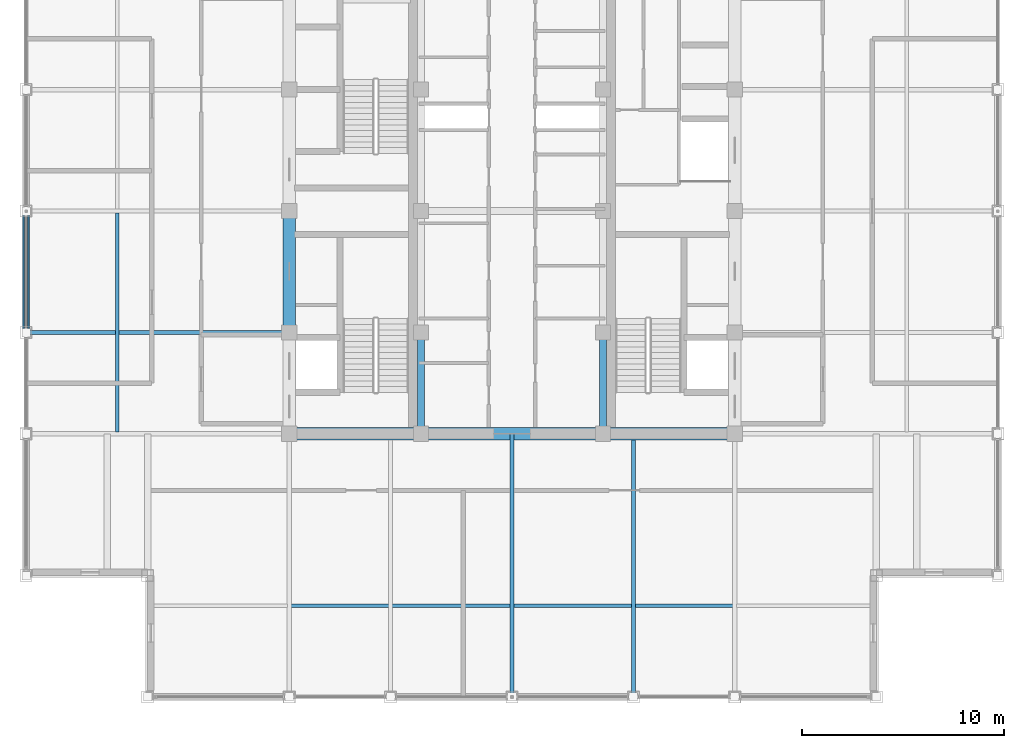
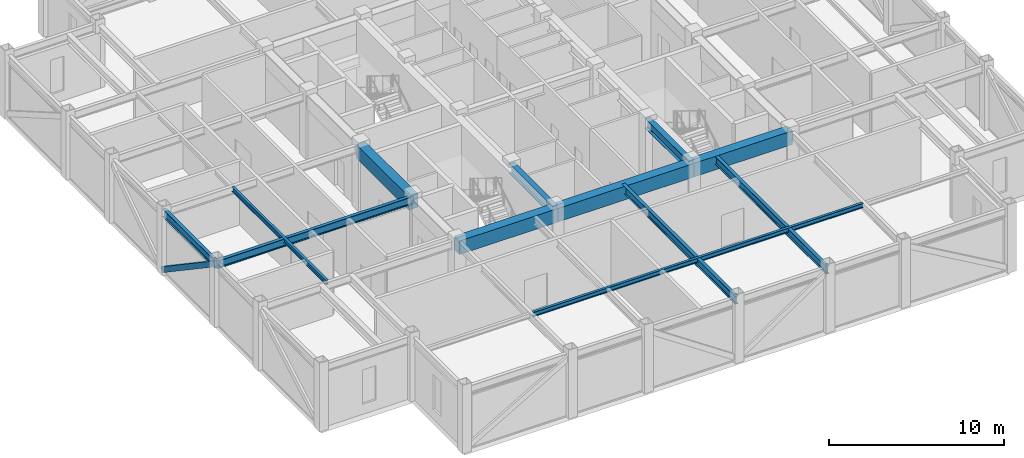
# One storey, part 5 of 27: 12 beams, 1 member.
"""IFC4 building model written with IfcOpenShell, lengths in metres."""

import ifcopenshell
import ifcopenshell.guid

model = None  # the IFC model being written
_history = None  # IfcOwnerHistory: only IFC2X3 demands one
_inside = {}  # id of a spatial element -> (the spatial element, [elements in it])
_under = {}  # id of a project, library or spatial element -> (it, [spatial elements below it])
_declared = {}  # id of a project -> (the project, [libraries it declares])
_typed = {}  # id of a type object -> (the type object, [elements of that type])
_made_of = {}  # id of a material, layer set ... -> (it, [elements and type objects made of it])


def new_model(schema):
    """Start an empty IFC model of exactly this schema.

    Asked for "IFC4X3", IfcOpenShell would pick the latest addendum, in which some entities
    have other attributes; the version numbers below select the first issue.
    IFC2X3 requires an IfcOwnerHistory on every rooted entity: one is made here for all.
    """
    global model, _history
    if schema == "IFC4X3":
        model = ifcopenshell.file(schema_version=(4, 3, 0, 0))
    else:
        model = ifcopenshell.file(schema=schema)
    _inside.clear()
    _under.clear()
    _declared.clear()
    _typed.clear()
    _made_of.clear()
    _history = None
    if model.schema == "IFC2X3":
        org = make("IfcOrganization", Name="unknown")
        user = make(
            "IfcPersonAndOrganization",
            ThePerson=make("IfcPerson", FamilyName="unknown"),
            TheOrganization=org,
        )
        app = make(
            "IfcApplication",
            ApplicationDeveloper=org,
            Version="unknown",
            ApplicationFullName="unknown",
            ApplicationIdentifier="unknown",
        )
        _history = make(
            "IfcOwnerHistory",
            OwningUser=user,
            OwningApplication=app,
            ChangeAction="ADDED",
            CreationDate=0,
        )
    return model


def make(cls, **values):
    """One entity of the class cls with the attributes given. An attribute that is None is left unset."""
    return model.create_entity(
        cls, **{name: value for name, value in values.items() if value is not None}
    )


def rooted(cls, **values):
    """An entity with a GlobalId (a new one), such as an element, a storey or a relation."""
    return make(cls, GlobalId=ifcopenshell.guid.new(), OwnerHistory=_history, **values)


def si_unit(unit_type, name, prefix=None):
    """IfcSIUnit, for example si_unit("LENGTHUNIT", "METRE", prefix="MILLI")."""
    return make("IfcSIUnit", UnitType=unit_type, Prefix=prefix, Name=name)


def assignment(units):
    """IfcUnitAssignment: the units of a project."""
    return None if units is None else make("IfcUnitAssignment", Units=units)


def point(xyz):
    """IfcCartesianPoint."""
    return None if xyz is None else make("IfcCartesianPoint", Coordinates=xyz)


def direction(xyz):
    """IfcDirection."""
    return None if xyz is None else make("IfcDirection", DirectionRatios=xyz)


def frame(location, z_axis=None, x_axis=None):
    """IfcAxis2Placement3D, a coordinate frame: its origin and axes. An axis left out is left unset."""
    return make(
        "IfcAxis2Placement3D",
        Location=point(location),
        Axis=direction(z_axis),
        RefDirection=direction(x_axis),
    )


def frame_2d(location, x_axis=None):
    """IfcAxis2Placement2D, a coordinate frame in the plane: its origin and x axis."""
    return make(
        "IfcAxis2Placement2D", Location=point(location), RefDirection=direction(x_axis)
    )


def origin():
    """The frame at (0, 0, 0) with its axes left unset."""
    return frame((0.0, 0.0, 0.0))


def origin_2d():
    """The frame at (0, 0) in the plane with its x axis left unset."""
    return frame_2d((0.0, 0.0))


def place(relative_to, where):
    """IfcLocalPlacement: puts the frame where relative to a parent placement (None: the world)."""
    return make(
        "IfcLocalPlacement", PlacementRelTo=relative_to, RelativePlacement=where
    )


def context(
    kind, dimensions, precision=None, world=None, true_north=None, identifier=None
):
    """IfcGeometricRepresentationContext, for example the 3D "Model" context."""
    return make(
        "IfcGeometricRepresentationContext",
        ContextIdentifier=identifier,
        ContextType=kind,
        CoordinateSpaceDimension=dimensions,
        Precision=precision,
        WorldCoordinateSystem=world,
        TrueNorth=true_north,
    )


def subcontext(parent, identifier, kind, view, scale=None):
    """IfcGeometricRepresentationSubContext, for example "Body" below "Model"."""
    return make(
        "IfcGeometricRepresentationSubContext",
        ContextIdentifier=identifier,
        ContextType=kind,
        ParentContext=parent,
        TargetScale=scale,
        TargetView=view,
    )


def project(units=None, contexts=None):
    """IfcProject with its units and contexts."""
    return rooted(
        "IfcProject",
        Name="project",
        RepresentationContexts=contexts,
        UnitsInContext=assignment(units),
    )


def spatial(cls, under=None, at=None, **own):
    """A site, building, storey or space (cls), placed at a placement, below another one or the project."""
    s = rooted(cls, ObjectPlacement=at, **own)
    if under is not None:
        _under.setdefault(under.id(), (under, []))[1].append(s)
    return s


def profile(cls, at=None, kind="AREA", **sizes):
    """A parametric profile (cls). Its sizes go by their IFC names, for example OverallWidth=200.0."""
    return make(cls, ProfileType=kind, Position=at, **sizes)


def rectangle(**sizes):
    """IfcRectangleProfileDef."""
    return profile("IfcRectangleProfileDef", **sizes)


def hollow_rectangle(**sizes):
    """IfcRectangleHollowProfileDef."""
    return profile("IfcRectangleHollowProfileDef", **sizes)


def i_section(**sizes):
    """IfcIShapeProfileDef."""
    return profile("IfcIShapeProfileDef", **sizes)


def extrude(swept, where, along, depth):
    """IfcExtrudedAreaSolid: the profile swept, set in the frame where, extruded along a direction by depth."""
    return make(
        "IfcExtrudedAreaSolid",
        SweptArea=swept,
        Position=where,
        ExtrudedDirection=direction(along),
        Depth=depth,
    )


def shape(context_of_items, identifier, shape_type, items):
    """IfcShapeRepresentation: the items that make up one representation, for example the "Body"."""
    return make(
        "IfcShapeRepresentation",
        ContextOfItems=context_of_items,
        RepresentationIdentifier=identifier,
        RepresentationType=shape_type,
        Items=items,
    )


def source(mapping_origin, context_of_items, identifier, shape_type, items):
    """IfcRepresentationMap: a shape defined once, which mapped items show again and again."""
    return make(
        "IfcRepresentationMap",
        MappingOrigin=mapping_origin,
        MappedRepresentation=shape(context_of_items, identifier, shape_type, items),
    )


def transform(
    local_origin,
    x_axis=None,
    y_axis=None,
    z_axis=None,
    scale=None,
    scale2=None,
    scale3=None,
    uniform=True,
):
    """IfcCartesianTransformationOperator3D, or its non-uniform kind. x_axis, y_axis, z_axis: its Axis1, 2, 3."""
    if uniform:
        return make(
            "IfcCartesianTransformationOperator3D",
            Axis1=direction(x_axis),
            Axis2=direction(y_axis),
            LocalOrigin=point(local_origin),
            Scale=scale,
            Axis3=direction(z_axis),
        )
    return make(
        "IfcCartesianTransformationOperator3DnonUniform",
        Axis1=direction(x_axis),
        Axis2=direction(y_axis),
        LocalOrigin=point(local_origin),
        Scale=scale,
        Axis3=direction(z_axis),
        Scale2=scale2,
        Scale3=scale3,
    )


def mapped(mapping_source, mapping_target):
    """IfcMappedItem: shows the shape of a source again, moved by a transform."""
    return make(
        "IfcMappedItem", MappingSource=mapping_source, MappingTarget=mapping_target
    )


def material(Name=None, Category=None):
    """IfcMaterial."""
    return make("IfcMaterial", Name=Name, Category=Category)


def material_profile(
    of_material, cross_section, Name=None, Category=None, Priority=None
):
    """IfcMaterialProfile: a cross section and its material."""
    return make(
        "IfcMaterialProfile",
        Name=Name,
        Material=of_material,
        Profile=cross_section,
        Priority=Priority,
        Category=Category,
    )


def profile_set(profiles, Name=None, composite=None):
    """IfcMaterialProfileSet."""
    return make(
        "IfcMaterialProfileSet",
        Name=Name,
        MaterialProfiles=profiles,
        CompositeProfile=composite,
    )


def made_of(thing, what):
    """Note that an element or type object is made of a material, layer set ...; save() writes the relation."""
    if what is not None:
        _made_of.setdefault(what.id(), (what, []))[1].append(thing)
    return thing


def type_object(cls, material=None, **own):
    """A type object (cls), such as IfcWallType, which elements share."""
    return made_of(rooted(cls, **own), material)


def element(
    cls,
    number,
    at=None,
    inside=None,
    cuts=None,
    type_object=None,
    material=None,
    context=None,
    identifier="Body",
    shape_type=None,
    held_by="IfcProductDefinitionShape",
    body=None,
    shapes=None,
    **own,
):
    """One element of the class cls, such as IfcWall. Its Tag is "e" and its number.

    at: its placement. inside: the storey or other place that contains it. cuts: it is an
    opening in that element (IfcRelVoidsElement). A single representation is given by context,
    identifier, shape_type and body (its items); several are given by shapes. held_by: the class
    of the entity that holds the representations. save() writes the other relations.
    """
    e = rooted(cls, Tag="e%d" % number, ObjectPlacement=at, **own)
    if body is not None:
        shapes = [shape(context, identifier, shape_type, body)]
    if shapes is not None:
        e.Representation = make(held_by, Representations=shapes)
    if inside is not None:
        _inside.setdefault(inside.id(), (inside, []))[1].append(e)
    if cuts is not None:
        rooted(
            "IfcRelVoidsElement", RelatingBuildingElement=cuts, RelatedOpeningElement=e
        )
    if type_object is not None:
        _typed.setdefault(type_object.id(), (type_object, []))[1].append(e)
    return made_of(e, material)


def aggregate(whole, parts):
    """IfcRelAggregates: a whole, such as a stair, and the parts it consists of."""
    return rooted("IfcRelAggregates", RelatingObject=whole, RelatedObjects=parts)


def save(model, path):
    """Write the relations noted so far, then the file.

    IfcRelAggregates (storeys below a building ...), IfcRelContainedInSpatialStructure (elements
    in a storey), IfcRelDefinesByType, IfcRelAssociatesMaterial and IfcRelDeclares: one each for
    every whole, place, type object, material and project.
    """
    for whole, parts in _under.values():
        aggregate(whole, parts)
    for where, things in _inside.values():
        rooted(
            "IfcRelContainedInSpatialStructure",
            RelatedElements=things,
            RelatingStructure=where,
        )
    for kind, things in _typed.values():
        rooted("IfcRelDefinesByType", RelatedObjects=things, RelatingType=kind)
    for what, things in _made_of.values():
        rooted("IfcRelAssociatesMaterial", RelatedObjects=things, RelatingMaterial=what)
    for by, libraries in _declared.values():
        rooted("IfcRelDeclares", RelatingContext=by, RelatedDefinitions=libraries)
    model.write(path)


model = new_model("IFC4")

# Units and contexts
model_context = context("Model", 3, precision=1e-05, world=origin(), true_north=direction((0.0, 1.0)))
body_context = subcontext(model_context, "Body", "Model", "MODEL_VIEW")
ifc_project = project(units=[si_unit("LENGTHUNIT", "METRE"), si_unit("AREAUNIT", "SQUARE_METRE"), si_unit("VOLUMEUNIT", "CUBIC_METRE"), si_unit("PLANEANGLEUNIT", "RADIAN"), si_unit("MASSUNIT", "GRAM", prefix="KILO")], contexts=[model_context])

# Site, building, storey
site_placement = place(None, origin())
site = spatial("IfcSite", under=ifc_project, at=site_placement, CompositionType="ELEMENT")
building_placement = place(site_placement, origin())
building = spatial("IfcBuilding", under=site, at=building_placement, Name="Khorayat Bourse Tower", CompositionType="ELEMENT")
storey_placement = place(building_placement, frame((0.0, 0.0, 385.10009765625)))
storey = spatial("IfcBuildingStorey", under=building, at=storey_placement, Name="L91", CompositionType="ELEMENT", Elevation=385.10009765625)

# Beams
ifc_material_1 = material(Name="Steel ASTM A992 Grade 50", Category="steel")
ifc_material_profile_1 = material_profile(ifc_material_1, i_section(OverallWidth=0.35498046875, OverallDepth=0.695068359375, WebThickness=0.015380859375, FlangeThickness=0.02490234375, FilletRadius=0.01806640625, at=origin_2d()), Name="W690X217")
ifc_profile_set_1 = profile_set([ifc_material_profile_1], Name="Steel ASTM A992 Grade 50")
beam_type_1 = type_object("IfcBeamType", Name="BM-GIRD-690", PredefinedType="BEAM", material=ifc_profile_set_1)
shared_shape_1 = source(origin(), body_context, "Body", "SweptSolid", [
    extrude(i_section(OverallWidth=0.35498046875, OverallDepth=0.695068359375, WebThickness=0.015380859375, FlangeThickness=0.02490234375, FilletRadius=0.01806640625, at=origin_2d()), origin(), (0.0, 0.0, 1.0), 5.0),
])
for number, where, z_axis, x_axis, name in (
    (1, (-4.5, -11.0, 4.102294921875), (0.0, 1.0, 0.0), (-1.0, 0.0, 0.0), "L91 BM-GIRD-690 BM-L91-CRX-05"),
    (2, (4.5, -11.0, 4.102294921875), (0.0, 1.0, 0.0), (-1.0, 0.0, 0.0), "L91 BM-GIRD-690 BM-L91-CRX-09"),
):
    element("IfcBeam", number, at=place(storey_placement, frame(where, z_axis=z_axis, x_axis=x_axis)), inside=storey, type_object=beam_type_1, Name=name, PredefinedType="BEAM", context=body_context, shape_type="MappedRepresentation", body=[
        mapped(shared_shape_1, transform((0.0, 0.0, 0.0), scale=1.0)),
    ])
ifc_material_2 = material(Name="Concrete C60/75", Category="concrete")
ifc_material_profile_2 = material_profile(ifc_material_2, rectangle(XDim=0.60009765625, YDim=0.949951171875, at=origin_2d()), Name="RC 600x950")
ifc_profile_set_2 = profile_set([ifc_material_profile_2], Name="Concrete C60/75")
beam_type_2 = type_object("IfcBeamType", Name="BM-COUP-950", PredefinedType="BEAM", material=ifc_profile_set_2)
shared_shape_2 = source(origin(), body_context, "Body", "SweptSolid", [
    extrude(rectangle(XDim=0.60009765625, YDim=0.949951171875, at=origin_2d()), origin(), (0.0, 0.0, 1.0), 6.0),
])
beam_1_placement = place(storey_placement, frame((-11.0, -6.0, 3.974853515625), z_axis=(0.0, 1.0, 0.0), x_axis=(-1.0, 0.0, 0.0)))
element("IfcBeam", 3, at=beam_1_placement, inside=storey, type_object=beam_type_2, Name="L91 BM-COUP-950 BM-L91-CRX-02", PredefinedType="BEAM", context=body_context, shape_type="MappedRepresentation", body=[
    mapped(shared_shape_2, transform((0.0, 0.0, 0.0), scale=1.0)),
])
shared_shape_3 = source(origin(), body_context, "Body", "SweptSolid", [
    extrude(rectangle(XDim=0.60009765625, YDim=0.949951171875, at=origin_2d()), origin(), (0.0, 0.0, 1.0), 6.5),
])
for number, where, z_axis, x_axis, name in (
    (4, (-11.0, -11.0, 3.974853515625), (1.0, 0.0, 0.0), (0.0, 1.0, 0.0), "L91 BM-COUP-950 BM-L91-CRY-17"),
    (5, (4.5, -11.0, 3.974853515625), (1.0, 0.0, 0.0), (0.0, 1.0, 0.0), "L91 BM-COUP-950 BM-L91-CRY-19"),
):
    element("IfcBeam", number, at=place(storey_placement, frame(where, z_axis=z_axis, x_axis=x_axis)), inside=storey, type_object=beam_type_2, Name=name, PredefinedType="BEAM", context=body_context, shape_type="MappedRepresentation", body=[
        mapped(shared_shape_3, transform((0.0, 0.0, 0.0), scale=1.0)),
    ])
shared_shape_4 = source(origin(), body_context, "Body", "SweptSolid", [
    extrude(rectangle(XDim=0.60009765625, YDim=0.949951171875, at=origin_2d()), origin(), (0.0, 0.0, 1.0), 9.0),
])
beam_2_placement = place(storey_placement, frame((-4.5, -11.0, 3.974853515625), z_axis=(1.0, 0.0, 0.0), x_axis=(0.0, 1.0, 0.0)))
element("IfcBeam", 6, at=beam_2_placement, inside=storey, type_object=beam_type_2, Name="L91 BM-COUP-950 BM-L91-CRY-18", PredefinedType="BEAM", context=body_context, shape_type="MappedRepresentation", body=[
    mapped(shared_shape_4, transform((0.0, 0.0, 0.0), scale=1.0)),
])
ifc_material_profile_3 = material_profile(ifc_material_1, i_section(OverallWidth=0.214111328125, OverallDepth=0.549072265625, WebThickness=0.0146484375, FlangeThickness=0.023681640625, FilletRadius=0.013916015625, at=origin_2d()), Name="W530X138")
ifc_profile_set_3 = profile_set([ifc_material_profile_3], Name="Steel ASTM A992 Grade 50")
beam_type_3 = type_object("IfcBeamType", Name="BM-SPAN-530", PredefinedType="SPANDREL", material=ifc_profile_set_3)
shared_shape_5 = source(origin(), body_context, "Body", "SweptSolid", [
    extrude(i_section(OverallWidth=0.214111328125, OverallDepth=0.549072265625, WebThickness=0.0146484375, FlangeThickness=0.023681640625, FilletRadius=0.013916015625, at=origin_2d()), origin(), (0.0, 0.0, 1.0), 6.0),
])
beam_3_placement = place(storey_placement, frame((-24.0, -6.0, 4.17529296875), z_axis=(0.0, 1.0, 0.0), x_axis=(-1.0, 0.0, 0.0)))
element("IfcBeam", 7, at=beam_3_placement, inside=storey, type_object=beam_type_3, Name="L91 BM-SPAN-530 BM-L91-SPN-051", PredefinedType="SPANDREL", context=body_context, shape_type="MappedRepresentation", body=[
    mapped(shared_shape_5, transform((0.0, 0.0, 0.0), scale=1.0)),
])
ifc_material_profile_4 = material_profile(ifc_material_1, i_section(OverallWidth=0.214111328125, OverallDepth=0.549072265625, WebThickness=0.0146484375, FlangeThickness=0.023681640625, FilletRadius=0.013916015625, at=origin_2d()), Name="W530X138")
ifc_profile_set_4 = profile_set([ifc_material_profile_4], Name="Steel ASTM A992 Grade 50")
beam_type_4 = type_object("IfcBeamType", Name="BM-GIRD-530", PredefinedType="BEAM", material=ifc_profile_set_4)
shared_shape_6 = source(origin(), body_context, "Body", "SweptSolid", [
    extrude(i_section(OverallWidth=0.214111328125, OverallDepth=0.549072265625, WebThickness=0.0146484375, FlangeThickness=0.023681640625, FilletRadius=0.013916015625, at=origin_2d()), origin(), (0.0, 0.0, 1.0), 13.0),
])
for number, where, z_axis, x_axis, name in (
    (8, (0.0, -24.0, 4.17529296875), (0.0, 1.0, 0.0), (-1.0, 0.0, 0.0), "L91 BM-GIRD-530 BM-L91-RADY-061"),
    (9, (6.0, -24.0, 4.17529296875), (0.0, 1.0, 0.0), (-1.0, 0.0, 0.0), "L91 BM-GIRD-530 BM-L91-RADY-063"),
    (10, (-24.0, -6.0, 4.17529296875), (1.0, 0.0, 0.0), (0.0, 1.0, 0.0), "L91 BM-GIRD-530 BM-L91-RADX-069"),
):
    element("IfcBeam", number, at=place(storey_placement, frame(where, z_axis=z_axis, x_axis=x_axis)), inside=storey, type_object=beam_type_4, Name=name, PredefinedType="BEAM", context=body_context, shape_type="MappedRepresentation", body=[
        mapped(shared_shape_6, transform((0.0, 0.0, 0.0), scale=1.0)),
    ])
ifc_material_profile_5 = material_profile(ifc_material_1, i_section(OverallWidth=0.1669921875, OverallDepth=0.31689453125, WebThickness=0.007568359375, FlangeThickness=0.01318359375, FilletRadius=0.010009765625, at=origin_2d()), Name="W310X52")
ifc_profile_set_5 = profile_set([ifc_material_profile_5], Name="Steel ASTM A992 Grade 50")
beam_type_5 = type_object("IfcBeamType", Name="BM-JOIST-310", PredefinedType="JOIST", material=ifc_profile_set_5)
shared_shape_7 = source(origin(), body_context, "Body", "SweptSolid", [
    extrude(i_section(OverallWidth=0.1669921875, OverallDepth=0.31689453125, WebThickness=0.007568359375, FlangeThickness=0.01318359375, FilletRadius=0.010009765625, at=origin_2d()), origin(), (0.0, 0.0, 1.0), 21.81005859375),
])
beam_4_placement = place(storey_placement, frame((-10.905029296875, -19.5, 4.29150390625), z_axis=(1.0, 0.0, 0.0), x_axis=(0.0, 1.0, 0.0)))
element("IfcBeam", 11, at=beam_4_placement, inside=storey, type_object=beam_type_5, Name="L91 BM-JOIST-310 BM-L91-JSTX-085", PredefinedType="JOIST", context=body_context, shape_type="MappedRepresentation", body=[
    mapped(shared_shape_7, transform((0.0, 0.0, 0.0), scale=1.0)),
])
shared_shape_8 = source(origin(), body_context, "Body", "SweptSolid", [
    extrude(i_section(OverallWidth=0.1669921875, OverallDepth=0.31689453125, WebThickness=0.007568359375, FlangeThickness=0.01318359375, FilletRadius=0.010009765625, at=origin_2d()), origin(), (0.0, 0.0, 1.0), 10.81005859375),
])
beam_5_placement = place(storey_placement, frame((-19.5, -10.905029296875, 4.29150390625), z_axis=(0.0, 1.0, 0.0), x_axis=(-1.0, 0.0, 0.0)))
element("IfcBeam", 12, at=beam_5_placement, inside=storey, type_object=beam_type_5, Name="L91 BM-JOIST-310 BM-L91-JSTY-090", PredefinedType="JOIST", context=body_context, shape_type="MappedRepresentation", body=[
    mapped(shared_shape_8, transform((0.0, 0.0, 0.0), scale=1.0)),
])

# Member
ifc_material_3 = material(Name="Steel EN 10025-2 S355J2", Category="steel")
ifc_material_profile_6 = material_profile(ifc_material_3, hollow_rectangle(XDim=0.35009765625, YDim=0.35009765625, WallThickness=0.02001953125, at=origin_2d()), Name="HSS 350x350x20")
ifc_profile_set_6 = profile_set([ifc_material_profile_6], Name="Steel EN 10025-2 S355J2")
member_type = type_object("IfcMemberType", Name="MBR-CROWN-350", PredefinedType="USERDEFINED", material=ifc_profile_set_6)
shared_shape_9 = source(origin(), body_context, "Body", "SweptSolid", [
    extrude(hollow_rectangle(XDim=0.35009765625, YDim=0.35009765625, WallThickness=0.02001953125, at=origin_2d()), origin(), (0.0, 0.0, 1.0), 7.239013671875),
])
member_placement = place(storey_placement, frame((-24.0, -6.0, 4.25), z_axis=(0.0, 0.828845546207, -0.559477488852), x_axis=(-1.0, 0.0, 0.0)))
element("IfcMember", 13, at=member_placement, inside=storey, type_object=member_type, Name="L91 Lantern Crown Frame Member 10", ObjectType="CROWN FRAME", PredefinedType="USERDEFINED", context=body_context, shape_type="MappedRepresentation", body=[
    mapped(shared_shape_9, transform((0.0, 0.0, 0.0), scale=1.0)),
])

save(model, "model.ifc")
